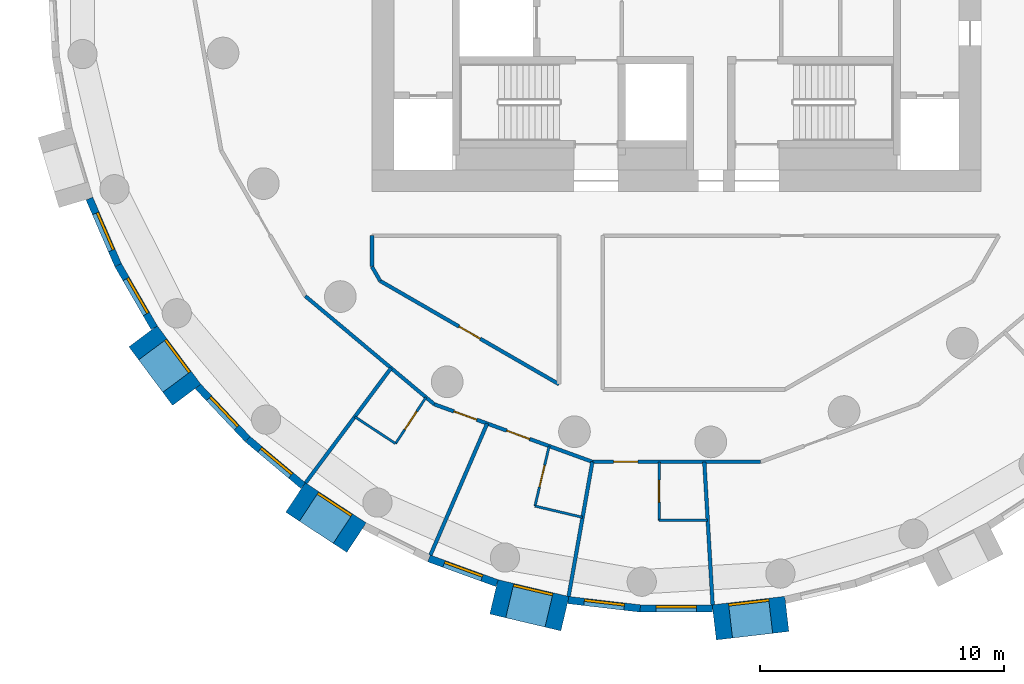
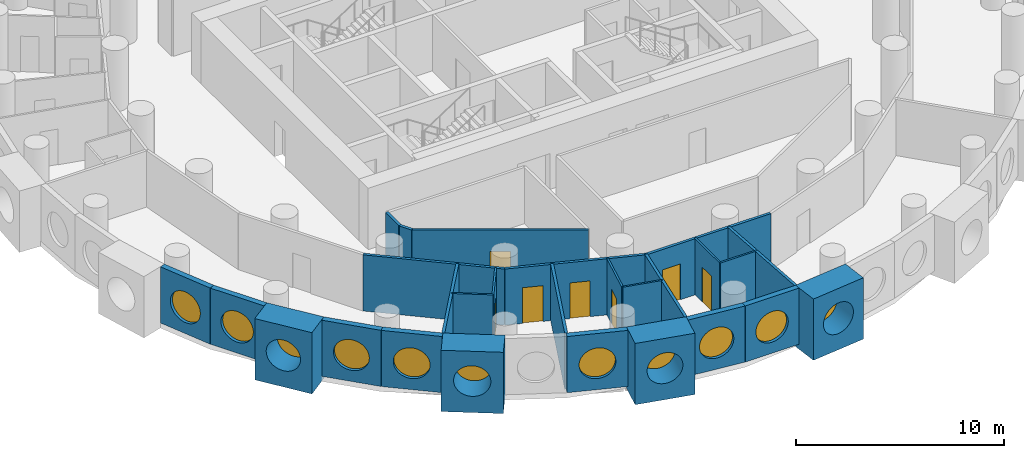
# One storey, part 2 of 9: 27 walls, 11 windows, 7 doors, 18 openings.
"""IFC4 building model written with IfcOpenShell, lengths in metres."""

from ifc_helpers import new_model, si_unit, direction, frame, frame_2d, origin, origin_2d, place, context, subcontext, project, spatial, rectangle, circle, extrude, material, layer, layer_set, type_object, element, fill, save


model = new_model("IFC4")

# Units and contexts
model_context = context("Model", 3, precision=1e-05, world=origin(), true_north=direction((0.0, 1.0)))
body_context = subcontext(model_context, "Body", "Model", "MODEL_VIEW")
ifc_project = project(units=[si_unit("LENGTHUNIT", "METRE"), si_unit("AREAUNIT", "SQUARE_METRE"), si_unit("VOLUMEUNIT", "CUBIC_METRE"), si_unit("PLANEANGLEUNIT", "RADIAN"), si_unit("MASSUNIT", "GRAM", prefix="KILO")], contexts=[model_context])

# Site, building, storey
site_placement = place(None, origin())
site = spatial("IfcSite", under=ifc_project, at=site_placement, CompositionType="ELEMENT")
building_placement = place(site_placement, origin())
building = spatial("IfcBuilding", under=site, at=building_placement, Name="Tracery Tower", CompositionType="ELEMENT")
storey_placement = place(building_placement, frame((0.0, 0.0, 187.199951171875)))
storey = spatial("IfcBuildingStorey", under=building, at=storey_placement, Name="L48", CompositionType="ELEMENT", Elevation=187.199951171875)

# Wall, opening, window
ifc_material_1 = material(Name="Precast concrete C50/60", Category="concrete")
ifc_layer_1 = layer(ifc_material_1, 1.449951171875)
ifc_layer_set_1 = layer_set([ifc_layer_1], Name="Deep-set bay unit 3000 x 3600, slab edge 300")
wall_type_1 = type_object("IfcWallType", Name="Deep-set bay unit 3000 x 3600, slab edge 300", PredefinedType="ELEMENTEDWALL", material=ifc_layer_set_1)
wall_1_placement = place(storey_placement, frame((-21.89453125, -14.429931640625, -0.300048828125), z_axis=(0.0, 0.0, 1.0), x_axis=(0.597183717734, -0.802104486506, 0.0)))
wall_1 = element("IfcWall", 1, at=wall_1_placement, inside=storey, type_object=wall_type_1, Name="Deep-set bay unit 33 at L48", PredefinedType="ELEMENTEDWALL", context=body_context, shape_type="SweptSolid", body=[
    extrude(rectangle(XDim=3.0, YDim=1.449951171875, at=frame_2d((1.5, 0.0))), origin(), (0.0, 0.0, 1.0), 3.60009765625),
])
opening_1_placement = place(wall_1_placement, frame((1.5, 0.0, 1.85009765625)))
opening_1 = element("IfcOpeningElement", 2, at=opening_1_placement, cuts=wall_1, Name="Opening WN1", PredefinedType="OPENING", context=body_context, shape_type="SweptSolid", body=[
    extrude(circle(Radius=0.9000244140625, at=origin_2d()), frame((0.0, 0.73486328125, 0.0), z_axis=(0.0, -1.0, 0.0), x_axis=(1.0, 0.0, 0.0)), (0.0, 0.0, 1.0), 1.469970703125),
])
ifc_material_2 = material(Name="Aluminium frame with tinted double glazing", Category="aluminium")
window_type = type_object("IfcWindowType", Name="Round window 1800", PartitioningType="SINGLE_PANEL", PredefinedType="WINDOW", material=ifc_material_2)
window_1_placement = place(opening_1_placement, origin())
window_1 = element("IfcWindow", 3, at=window_1_placement, inside=storey, type_object=window_type, Name="Round window 33 at L48", OverallHeight=1.800048828125, OverallWidth=1.800048828125, PartitioningType="SINGLE_PANEL", PredefinedType="WINDOW", context=body_context, shape_type="SweptSolid", body=[
    extrude(circle(Radius=0.9000244140625, at=origin_2d()), frame((0.0, 0.69482421875, 0.0), z_axis=(0.0, -1.0, 0.0), x_axis=(1.0, 0.0, 0.0)), (0.0, 0.0, 1.0), 0.10009765625),
])
fill(opening_1, window_1)

wall_2_placement = place(storey_placement, frame((-15.638916015625, -21.048095703125, -0.300048828125), z_axis=(0.0, 0.0, 1.0), x_axis=(0.835514416706, -0.549468524554, 0.0)))
wall_2 = element("IfcWall", 4, at=wall_2_placement, inside=storey, type_object=wall_type_1, Name="Deep-set bay unit 36 at L48", PredefinedType="ELEMENTEDWALL", context=body_context, shape_type="SweptSolid", body=[
    extrude(rectangle(XDim=3.0, YDim=1.449951171875, at=frame_2d((1.5, 0.0))), origin(), (0.0, 0.0, 1.0), 3.60009765625),
])
opening_2_placement = place(wall_2_placement, frame((1.5, 0.0, 1.85009765625)))
opening_2 = element("IfcOpeningElement", 5, at=opening_2_placement, cuts=wall_2, Name="Opening WN1", PredefinedType="OPENING", context=body_context, shape_type="SweptSolid", body=[
    extrude(circle(Radius=0.9000244140625, at=origin_2d()), frame((0.0, 0.73486328125, 0.0), z_axis=(0.0, -1.0, 0.0), x_axis=(1.0, 0.0, 0.0)), (0.0, 0.0, 1.0), 1.469970703125),
])
window_2_placement = place(opening_2_placement, origin())
window_2 = element("IfcWindow", 6, at=window_2_placement, inside=storey, type_object=window_type, Name="Round window 36 at L48", OverallHeight=1.800048828125, OverallWidth=1.800048828125, PartitioningType="SINGLE_PANEL", PredefinedType="WINDOW", context=body_context, shape_type="SweptSolid", body=[
    extrude(circle(Radius=0.9000244140625, at=origin_2d()), frame((0.0, 0.69482421875, 0.0), z_axis=(0.0, -1.0, 0.0), x_axis=(1.0, 0.0, 0.0)), (0.0, 0.0, 1.0), 0.10009765625),
])
fill(opening_2, window_2)

wall_3_placement = place(storey_placement, frame((-7.496826171875, -25.12744140625, -0.300048828125), z_axis=(0.0, 0.0, 1.0), x_axis=(0.973042333261, -0.23062657627, 0.0)))
wall_3 = element("IfcWall", 7, at=wall_3_placement, inside=storey, type_object=wall_type_1, Name="Deep-set bay unit 39 at L48", PredefinedType="ELEMENTEDWALL", context=body_context, shape_type="SweptSolid", body=[
    extrude(rectangle(XDim=3.0, YDim=1.449951171875, at=frame_2d((1.5, 0.0))), origin(), (0.0, 0.0, 1.0), 3.60009765625),
])
opening_3_placement = place(wall_3_placement, frame((1.5, 0.0, 1.85009765625)))
opening_3 = element("IfcOpeningElement", 8, at=opening_3_placement, cuts=wall_3, Name="Opening WN1", PredefinedType="OPENING", context=body_context, shape_type="SweptSolid", body=[
    extrude(circle(Radius=0.9000244140625, at=origin_2d()), frame((0.0, 0.73486328125, 0.0), z_axis=(0.0, -1.0, 0.0), x_axis=(1.0, 0.0, 0.0)), (0.0, 0.0, 1.0), 1.469970703125),
])
window_3_placement = place(opening_3_placement, origin())
window_3 = element("IfcWindow", 9, at=window_3_placement, inside=storey, type_object=window_type, Name="Round window 39 at L48", OverallHeight=1.800048828125, OverallWidth=1.800048828125, PartitioningType="SINGLE_PANEL", PredefinedType="WINDOW", context=body_context, shape_type="SweptSolid", body=[
    extrude(circle(Radius=0.9000244140625, at=origin_2d()), frame((0.0, 0.69482421875, 0.0), z_axis=(0.0, -1.0, 0.0), x_axis=(1.0, 0.0, 0.0)), (0.0, 0.0, 1.0), 0.10009765625),
])
fill(opening_3, window_3)

wall_4_placement = place(storey_placement, frame((1.54931640625, -26.17626953125, -0.300048828125), z_axis=(0.0, 0.0, 1.0), x_axis=(0.9932342274, 0.116128246006, 0.0)))
wall_4 = element("IfcWall", 10, at=wall_4_placement, inside=storey, type_object=wall_type_1, Name="Deep-set bay unit 42 at L48", PredefinedType="ELEMENTEDWALL", context=body_context, shape_type="SweptSolid", body=[
    extrude(rectangle(XDim=3.0, YDim=1.449951171875, at=frame_2d((1.5, 0.0))), origin(), (0.0, 0.0, 1.0), 3.60009765625),
])
opening_4_placement = place(wall_4_placement, frame((1.5, 0.0, 1.85009765625)))
opening_4 = element("IfcOpeningElement", 11, at=opening_4_placement, cuts=wall_4, Name="Opening WN1", PredefinedType="OPENING", context=body_context, shape_type="SweptSolid", body=[
    extrude(circle(Radius=0.9000244140625, at=origin_2d()), frame((0.0, 0.73486328125, 0.0), z_axis=(0.0, -1.0, 0.0), x_axis=(1.0, 0.0, 0.0)), (0.0, 0.0, 1.0), 1.469970703125),
])
window_4_placement = place(opening_4_placement, origin())
window_4 = element("IfcWindow", 12, at=window_4_placement, inside=storey, type_object=window_type, Name="Round window 42 at L48", OverallHeight=1.800048828125, OverallWidth=1.800048828125, PartitioningType="SINGLE_PANEL", PredefinedType="WINDOW", context=body_context, shape_type="SweptSolid", body=[
    extrude(circle(Radius=0.9000244140625, at=origin_2d()), frame((0.0, 0.69482421875, 0.0), z_axis=(0.0, -1.0, 0.0), x_axis=(1.0, 0.0, 0.0)), (0.0, 0.0, 1.0), 0.10009765625),
])
fill(opening_4, window_4)

ifc_material_3 = material(Name="Precast concrete C50/60", Category="concrete")
ifc_layer_2 = layer(ifc_material_3, 0.300048828125)
ifc_layer_set_2 = layer_set([ifc_layer_2], Name="Facade panel 3000 x 3300")
wall_type_2 = type_object("IfcWallType", Name="Facade panel 3000 x 3300", PredefinedType="SOLIDWALL", material=ifc_layer_set_2)
wall_5_placement = place(storey_placement, frame((-24.096923828125, -8.78076171875, 0.0), z_axis=(0.0, 0.0, 1.0), x_axis=(0.396078892785, -0.918216483565, 0.0)))
wall_5 = element("IfcWall", 13, at=wall_5_placement, inside=storey, type_object=wall_type_2, Name="Facade panel 31 at L48", PredefinedType="SOLIDWALL", context=body_context, shape_type="SweptSolid", body=[
    extrude(rectangle(XDim=2.972900390625, YDim=0.300048828125, at=frame_2d((1.486328125, 0.0))), origin(), (0.0, 0.0, 1.0), 3.300048828125),
])
opening_5_placement = place(wall_5_placement, frame((1.486328125, 0.0, 1.5498046875)))
opening_5 = element("IfcOpeningElement", 14, at=opening_5_placement, cuts=wall_5, Name="Opening WN1", PredefinedType="OPENING", context=body_context, shape_type="SweptSolid", body=[
    extrude(circle(Radius=0.9000244140625, at=origin_2d()), frame((0.0, 0.159912109375, 0.0), z_axis=(0.0, -1.0, 0.0), x_axis=(1.0, 0.0, 0.0)), (0.0, 0.0, 1.0), 0.320068359375),
])
window_5_placement = place(opening_5_placement, origin())
window_5 = element("IfcWindow", 15, at=window_5_placement, inside=storey, type_object=window_type, Name="Round window 31 at L48", OverallHeight=1.800048828125, OverallWidth=1.800048828125, PartitioningType="SINGLE_PANEL", PredefinedType="WINDOW", context=body_context, shape_type="SweptSolid", body=[
    extrude(circle(Radius=0.9000244140625, at=origin_2d()), frame((0.0, 0.1201171875, 0.0), z_axis=(0.0, -1.0, 0.0), x_axis=(1.0, 0.0, 0.0)), (0.0, 0.0, 1.0), 0.10009765625),
])
fill(opening_5, window_5)

wall_6_placement = place(storey_placement, frame((-22.91943359375, -11.510498046875, 0.0), z_axis=(0.0, 0.0, 1.0), x_axis=(0.500016263033, -0.866016014115, 0.0)))
wall_6 = element("IfcWall", 16, at=wall_6_placement, inside=storey, type_object=wall_type_2, Name="Facade panel 32 at L48", PredefinedType="SOLIDWALL", context=body_context, shape_type="SweptSolid", body=[
    extrude(rectangle(XDim=2.97314453125, YDim=0.300048828125, at=frame_2d((1.486572265625, 0.0))), origin(), (0.0, 0.0, 1.0), 3.300048828125),
])
opening_6_placement = place(wall_6_placement, frame((1.486328125, 0.0, 1.5498046875)))
opening_6 = element("IfcOpeningElement", 17, at=opening_6_placement, cuts=wall_6, Name="Opening WN1", PredefinedType="OPENING", context=body_context, shape_type="SweptSolid", body=[
    extrude(circle(Radius=0.9000244140625, at=origin_2d()), frame((0.0, 0.159912109375, 0.0), z_axis=(0.0, -1.0, 0.0), x_axis=(1.0, 0.0, 0.0)), (0.0, 0.0, 1.0), 0.320068359375),
])
window_6_placement = place(opening_6_placement, origin())
window_6 = element("IfcWindow", 18, at=window_6_placement, inside=storey, type_object=window_type, Name="Round window 32 at L48", OverallHeight=1.800048828125, OverallWidth=1.800048828125, PartitioningType="SINGLE_PANEL", PredefinedType="WINDOW", context=body_context, shape_type="SweptSolid", body=[
    extrude(circle(Radius=0.9000244140625, at=origin_2d()), frame((0.0, 0.1201171875, 0.0), z_axis=(0.0, -1.0, 0.0), x_axis=(1.0, 0.0, 0.0)), (0.0, 0.0, 1.0), 0.10009765625),
])
fill(opening_6, window_6)

wall_7_placement = place(storey_placement, frame((-19.640380859375, -16.492919921875, 0.0), z_axis=(0.0, 0.0, 1.0), x_axis=(0.686235184166, -0.727379730273, 0.0)))
wall_7 = element("IfcWall", 19, at=wall_7_placement, inside=storey, type_object=wall_type_2, Name="Facade panel 34 at L48", PredefinedType="SOLIDWALL", context=body_context, shape_type="SweptSolid", body=[
    extrude(rectangle(XDim=2.972900390625, YDim=0.300048828125, at=frame_2d((1.486328125, 0.0))), origin(), (0.0, 0.0, 1.0), 3.300048828125),
])
opening_7_placement = place(wall_7_placement, frame((1.486328125, 0.0, 1.5498046875)))
opening_7 = element("IfcOpeningElement", 20, at=opening_7_placement, cuts=wall_7, Name="Opening WN1", PredefinedType="OPENING", context=body_context, shape_type="SweptSolid", body=[
    extrude(circle(Radius=0.9000244140625, at=origin_2d()), frame((0.0, 0.159912109375, 0.0), z_axis=(0.0, -1.0, 0.0), x_axis=(1.0, 0.0, 0.0)), (0.0, 0.0, 1.0), 0.320068359375),
])
window_7_placement = place(opening_7_placement, origin())
window_7 = element("IfcWindow", 21, at=window_7_placement, inside=storey, type_object=window_type, Name="Round window 34 at L48", OverallHeight=1.800048828125, OverallWidth=1.800048828125, PartitioningType="SINGLE_PANEL", PredefinedType="WINDOW", context=body_context, shape_type="SweptSolid", body=[
    extrude(circle(Radius=0.9000244140625, at=origin_2d()), frame((0.0, 0.1201171875, 0.0), z_axis=(0.0, -1.0, 0.0), x_axis=(1.0, 0.0, 0.0)), (0.0, 0.0, 1.0), 0.10009765625),
])
fill(opening_7, window_7)

wall_8_placement = place(storey_placement, frame((-17.600341796875, -18.6552734375, 0.0), z_axis=(0.0, 0.0, 1.0), x_axis=(0.766049350637, -0.642781761089, 0.0)))
wall_8 = element("IfcWall", 22, at=wall_8_placement, inside=storey, type_object=wall_type_2, Name="Facade panel 35 at L48", PredefinedType="SOLIDWALL", context=body_context, shape_type="SweptSolid", body=[
    extrude(rectangle(XDim=2.972900390625, YDim=0.300048828125, at=frame_2d((1.486328125, 0.0))), origin(), (0.0, 0.0, 1.0), 3.300048828125),
])
opening_8_placement = place(wall_8_placement, frame((1.486328125, 0.0, 1.5498046875)))
opening_8 = element("IfcOpeningElement", 23, at=opening_8_placement, cuts=wall_8, Name="Opening WN1", PredefinedType="OPENING", context=body_context, shape_type="SweptSolid", body=[
    extrude(circle(Radius=0.9000244140625, at=origin_2d()), frame((0.0, 0.159912109375, 0.0), z_axis=(0.0, -1.0, 0.0), x_axis=(1.0, 0.0, 0.0)), (0.0, 0.0, 1.0), 0.320068359375),
])
window_8_placement = place(opening_8_placement, origin())
window_8 = element("IfcWindow", 24, at=window_8_placement, inside=storey, type_object=window_type, Name="Round window 35 at L48", OverallHeight=1.800048828125, OverallWidth=1.800048828125, PartitioningType="SINGLE_PANEL", PredefinedType="WINDOW", context=body_context, shape_type="SweptSolid", body=[
    extrude(circle(Radius=0.9000244140625, at=origin_2d()), frame((0.0, 0.1201171875, 0.0), z_axis=(0.0, -1.0, 0.0), x_axis=(1.0, 0.0, 0.0)), (0.0, 0.0, 1.0), 0.10009765625),
])
fill(opening_8, window_8)

wall_9_placement = place(storey_placement, frame((-10.158447265625, -23.5498046875, 0.0), z_axis=(0.0, 0.0, 1.0), x_axis=(0.939690282133, -0.342026568652, 0.0)))
wall_9 = element("IfcWall", 25, at=wall_9_placement, inside=storey, type_object=wall_type_2, Name="Facade panel 38 at L48", PredefinedType="SOLIDWALL", context=body_context, shape_type="SweptSolid", body=[
    extrude(rectangle(XDim=2.972900390625, YDim=0.300048828125, at=frame_2d((1.486328125, 0.0))), origin(), (0.0, 0.0, 1.0), 3.300048828125),
])
opening_9_placement = place(wall_9_placement, frame((1.486328125, 0.0, 1.5498046875)))
opening_9 = element("IfcOpeningElement", 26, at=opening_9_placement, cuts=wall_9, Name="Opening WN1", PredefinedType="OPENING", context=body_context, shape_type="SweptSolid", body=[
    extrude(circle(Radius=0.9000244140625, at=origin_2d()), frame((0.0, 0.159912109375, 0.0), z_axis=(0.0, -1.0, 0.0), x_axis=(1.0, 0.0, 0.0)), (0.0, 0.0, 1.0), 0.320068359375),
])
window_9_placement = place(opening_9_placement, origin())
window_9 = element("IfcWindow", 27, at=window_9_placement, inside=storey, type_object=window_type, Name="Round window 38 at L48", OverallHeight=1.800048828125, OverallWidth=1.800048828125, PartitioningType="SINGLE_PANEL", PredefinedType="WINDOW", context=body_context, shape_type="SweptSolid", body=[
    extrude(circle(Radius=0.9000244140625, at=origin_2d()), frame((0.0, 0.1201171875, 0.0), z_axis=(0.0, -1.0, 0.0), x_axis=(1.0, 0.0, 0.0)), (0.0, 0.0, 1.0), 0.10009765625),
])
fill(opening_9, window_9)

wall_10_placement = place(storey_placement, frame((-4.444091796875, -25.259033203125, 0.0), z_axis=(0.0, 0.0, 1.0), x_axis=(0.993245010522, -0.1160359818, 0.0)))
wall_10 = element("IfcWall", 28, at=wall_10_placement, inside=storey, type_object=wall_type_2, Name="Facade panel 40 at L48", PredefinedType="SOLIDWALL", context=body_context, shape_type="SweptSolid", body=[
    extrude(rectangle(XDim=2.972900390625, YDim=0.300048828125, at=frame_2d((1.486328125, 0.0))), origin(), (0.0, 0.0, 1.0), 3.300048828125),
])
opening_10_placement = place(wall_10_placement, frame((1.486328125, 0.0, 1.5498046875)))
opening_10 = element("IfcOpeningElement", 29, at=opening_10_placement, cuts=wall_10, Name="Opening WN1", PredefinedType="OPENING", context=body_context, shape_type="SweptSolid", body=[
    extrude(circle(Radius=0.9000244140625, at=origin_2d()), frame((0.0, 0.159912109375, 0.0), z_axis=(0.0, -1.0, 0.0), x_axis=(1.0, 0.0, 0.0)), (0.0, 0.0, 1.0), 0.320068359375),
])
window_10_placement = place(opening_10_placement, origin())
window_10 = element("IfcWindow", 30, at=window_10_placement, inside=storey, type_object=window_type, Name="Round window 40 at L48", OverallHeight=1.800048828125, OverallWidth=1.800048828125, PartitioningType="SINGLE_PANEL", PredefinedType="WINDOW", context=body_context, shape_type="SweptSolid", body=[
    extrude(circle(Radius=0.9000244140625, at=origin_2d()), frame((0.0, 0.1201171875, 0.0), z_axis=(0.0, -1.0, 0.0), x_axis=(1.0, 0.0, 0.0)), (0.0, 0.0, 1.0), 0.10009765625),
])
fill(opening_10, window_10)

wall_11_placement = place(storey_placement, frame((-1.4912109375, -25.60400390625, 0.0), z_axis=(0.0, 0.0, 1.0), x_axis=(1.0, 0.0, 0.0)))
wall_11 = element("IfcWall", 31, at=wall_11_placement, inside=storey, type_object=wall_type_2, Name="Facade panel 41 at L48", PredefinedType="SOLIDWALL", context=body_context, shape_type="SweptSolid", body=[
    extrude(rectangle(XDim=2.972900390625, YDim=0.300048828125, at=frame_2d((1.486328125, 0.0))), origin(), (0.0, 0.0, 1.0), 3.300048828125),
])
opening_11_placement = place(wall_11_placement, frame((1.486328125, 0.0, 1.5498046875)))
opening_11 = element("IfcOpeningElement", 32, at=opening_11_placement, cuts=wall_11, Name="Opening WN1", PredefinedType="OPENING", context=body_context, shape_type="SweptSolid", body=[
    extrude(circle(Radius=0.9000244140625, at=origin_2d()), frame((0.0, 0.159912109375, 0.0), z_axis=(0.0, -1.0, 0.0), x_axis=(1.0, 0.0, 0.0)), (0.0, 0.0, 1.0), 0.320068359375),
])
window_11_placement = place(opening_11_placement, origin())
window_11 = element("IfcWindow", 33, at=window_11_placement, inside=storey, type_object=window_type, Name="Round window 41 at L48", OverallHeight=1.800048828125, OverallWidth=1.800048828125, PartitioningType="SINGLE_PANEL", PredefinedType="WINDOW", context=body_context, shape_type="SweptSolid", body=[
    extrude(circle(Radius=0.9000244140625, at=origin_2d()), frame((0.0, 0.1201171875, 0.0), z_axis=(0.0, -1.0, 0.0), x_axis=(1.0, 0.0, 0.0)), (0.0, 0.0, 1.0), 0.10009765625),
])
fill(opening_11, window_11)

# Wall
ifc_material_4 = material(Name="Plasterboard on steel studs", Category="steel")
ifc_layer_3 = layer(ifc_material_4, 0.10009765625)
ifc_layer_set_3 = layer_set([ifc_layer_3], Name="Partition 100 wet wall")
wall_type_3 = type_object("IfcWallType", Name="Partition 100 wet wall", PredefinedType="PARTITIONING", material=ifc_layer_set_3)
wall_12_placement = place(storey_placement, frame((-13.2041015625, -17.736083984375, 0.0), z_axis=(0.0, 0.0, 1.0), x_axis=(0.835392041163, -0.549654562032, 0.0)))
element("IfcWall", 34, at=wall_12_placement, inside=storey, type_object=wall_type_3, Name="Wet wall RB6-058", PredefinedType="PARTITIONING", context=body_context, shape_type="SweptSolid", body=[
    extrude(rectangle(XDim=2.002685546875, YDim=0.10009765625, at=frame_2d((1.00146484375, 0.0))), origin(), (0.0, 0.0, 1.0), 3.300048828125),
])

# Wall, opening, door
wall_13_placement = place(storey_placement, frame((-11.531005859375, -18.8369140625, 0.0), z_axis=(0.0, 0.0, 1.0), x_axis=(0.549730960803, 0.83534176882, 0.0)))
wall_13 = element("IfcWall", 35, at=wall_13_placement, inside=storey, type_object=wall_type_3, Name="Wet wall RB6-059", PredefinedType="PARTITIONING", context=body_context, shape_type="SweptSolid", body=[
    extrude(rectangle(XDim=2.27197265625, YDim=0.10009765625, at=frame_2d((1.135986328125, 0.0))), origin(), (0.0, 0.0, 1.0), 3.300048828125),
])
opening_12_placement = place(wall_13_placement, frame((0.68603515625, 0.0, 0.0)))
opening_12 = element("IfcOpeningElement", 36, at=opening_12_placement, cuts=wall_13, Name="Opening RB6-18", PredefinedType="OPENING", context=body_context, shape_type="SweptSolid", body=[
    extrude(rectangle(XDim=0.89990234375, YDim=2.0400390625, at=frame_2d((0.449951171875, 1.02001953125))), frame((0.0, 0.050048828125, 0.0), z_axis=(0.0, -1.0, 0.0), x_axis=(1.0, 0.0, 0.0)), (0.0, 0.0, 1.0), 0.10009765625),
])
ifc_material_5 = material(Name="Timber door leaf", Category="wood")
door_type_1 = type_object("IfcDoorType", Name="Door en-suite 900", OperationType="NOTDEFINED", PredefinedType="DOOR", material=ifc_material_5)
door_1_placement = place(opening_12_placement, origin())
door_1 = element("IfcDoor", 37, at=door_1_placement, inside=storey, type_object=door_type_1, Name="En-suite door RB6-18", OperationType="SINGLE_SWING_LEFT", OverallHeight=2.0400390625, OverallWidth=0.89990234375, PredefinedType="DOOR", context=body_context, shape_type="SweptSolid", body=[
    extrude(rectangle(XDim=0.89990234375, YDim=2.0400390625, at=frame_2d((0.449951171875, 1.02001953125))), frame((0.0, 0.02490234375, 0.0), z_axis=(0.0, -1.0, 0.0), x_axis=(1.0, 0.0, 0.0)), (0.0, 0.0, 1.0), 0.050048828125),
])
fill(opening_12, door_1)

wall_14_placement = place(storey_placement, frame((-5.80908203125, -21.40087890625, 0.0), z_axis=(0.0, 0.0, 1.0), x_axis=(0.230524114202, 0.97306661271, 0.0)))
wall_14 = element("IfcWall", 38, at=wall_14_placement, inside=storey, type_object=wall_type_3, Name="Wet wall RB6-061", PredefinedType="PARTITIONING", context=body_context, shape_type="SweptSolid", body=[
    extrude(rectangle(XDim=2.529052734375, YDim=0.10009765625, at=frame_2d((1.2646484375, 0.0))), origin(), (0.0, 0.0, 1.0), 3.300048828125),
])
opening_13_placement = place(wall_14_placement, frame((0.814208984375, 0.0, 0.0)))
opening_13 = element("IfcOpeningElement", 39, at=opening_13_placement, cuts=wall_14, Name="Opening RB6-20", PredefinedType="OPENING", context=body_context, shape_type="SweptSolid", body=[
    extrude(rectangle(XDim=0.89990234375, YDim=2.0400390625, at=frame_2d((0.449951171875, 1.02001953125))), frame((0.0, 0.050048828125, 0.0), z_axis=(0.0, -1.0, 0.0), x_axis=(1.0, 0.0, 0.0)), (0.0, 0.0, 1.0), 0.10009765625),
])
door_2_placement = place(opening_13_placement, origin())
door_2 = element("IfcDoor", 40, at=door_2_placement, inside=storey, type_object=door_type_1, Name="En-suite door RB6-20", OperationType="SINGLE_SWING_RIGHT", OverallHeight=2.0400390625, OverallWidth=0.89990234375, PredefinedType="DOOR", context=body_context, shape_type="SweptSolid", body=[
    extrude(rectangle(XDim=0.89990234375, YDim=2.0400390625, at=frame_2d((0.449951171875, 1.02001953125))), frame((0.0, 0.02490234375, 0.0), z_axis=(0.0, -1.0, 0.0), x_axis=(1.0, 0.0, 0.0)), (0.0, 0.0, 1.0), 0.050048828125),
])
fill(opening_13, door_2)

# Wall
wall_15_placement = place(storey_placement, frame((-5.80908203125, -21.40087890625, 0.0), z_axis=(0.0, 0.0, 1.0), x_axis=(0.973044402656, -0.230617845057, 0.0)))
element("IfcWall", 41, at=wall_15_placement, inside=storey, type_object=wall_type_3, Name="Wet wall RB6-062", PredefinedType="PARTITIONING", context=body_context, shape_type="SweptSolid", body=[
    extrude(rectangle(XDim=2.00830078125, YDim=0.10009765625, at=frame_2d((1.004150390625, 0.0))), origin(), (0.0, 0.0, 1.0), 3.300048828125),
])

# Wall, opening, door
wall_16_placement = place(storey_placement, frame((-0.717041015625, -21.986083984375, 0.0), z_axis=(0.0, 0.0, 1.0), x_axis=(0.0, 1.0, 0.0)))
wall_16 = element("IfcWall", 42, at=wall_16_placement, inside=storey, type_object=wall_type_3, Name="Wet wall RB6-064", PredefinedType="PARTITIONING", context=body_context, shape_type="SweptSolid", body=[
    extrude(rectangle(XDim=2.400146484375, YDim=0.10009765625, at=frame_2d((1.2001953125, 0.0))), origin(), (0.0, 0.0, 1.0), 3.300048828125),
])
opening_14_placement = place(wall_16_placement, frame((0.75, 0.0, 0.0)))
opening_14 = element("IfcOpeningElement", 43, at=opening_14_placement, cuts=wall_16, Name="Opening RB6-22", PredefinedType="OPENING", context=body_context, shape_type="SweptSolid", body=[
    extrude(rectangle(XDim=0.89990234375, YDim=2.0400390625, at=frame_2d((0.449951171875, 1.02001953125))), frame((0.0, 0.050048828125, 0.0), z_axis=(0.0, -1.0, 0.0), x_axis=(1.0, 0.0, 0.0)), (0.0, 0.0, 1.0), 0.10009765625),
])
door_3_placement = place(opening_14_placement, origin())
door_3 = element("IfcDoor", 44, at=door_3_placement, inside=storey, type_object=door_type_1, Name="En-suite door RB6-22", OperationType="SINGLE_SWING_LEFT", OverallHeight=2.0400390625, OverallWidth=0.89990234375, PredefinedType="DOOR", context=body_context, shape_type="SweptSolid", body=[
    extrude(rectangle(XDim=0.89990234375, YDim=2.0400390625, at=frame_2d((0.449951171875, 1.02001953125))), frame((0.0, 0.02490234375, 0.0), z_axis=(0.0, -1.0, 0.0), x_axis=(1.0, 0.0, 0.0)), (0.0, 0.0, 1.0), 0.050048828125),
])
fill(opening_14, door_3)

# Walls
wall_17_placement = place(storey_placement, frame((-0.717041015625, -21.986083984375, 0.0), z_axis=(0.0, 0.0, 1.0), x_axis=(1.0, 0.0, 0.0)))
element("IfcWall", 45, at=wall_17_placement, inside=storey, type_object=wall_type_3, Name="Wet wall RB6-065", PredefinedType="PARTITIONING", context=body_context, shape_type="SweptSolid", body=[
    extrude(rectangle(XDim=1.998046875, YDim=0.10009765625, at=frame_2d((0.9990234375, 0.0))), origin(), (0.0, 0.0, 1.0), 3.300048828125),
])
ifc_material_6 = material(Name="Plasterboard on steel studs", Category="steel")
ifc_layer_4 = layer(ifc_material_6, 0.14990234375)
ifc_layer_set_4 = layer_set([ifc_layer_4], Name="Partition 150 acoustic unit wall")
wall_type_4 = type_object("IfcWallType", Name="Partition 150 acoustic unit wall", PredefinedType="PARTITIONING", material=ifc_layer_set_4)
wall_18_placement = place(storey_placement, frame((-15.22607421875, -20.451904296875, 0.0), z_axis=(0.0, 0.0, 1.0), x_axis=(0.597131981171, 0.802143002876, 0.0)))
element("IfcWall", 46, at=wall_18_placement, inside=storey, type_object=wall_type_4, Name="Unit wall RB6-057", PredefinedType="PARTITIONING", context=body_context, shape_type="SweptSolid", body=[
    extrude(rectangle(XDim=5.878173828125, YDim=0.14990234375, at=frame_2d((2.93896484375, 0.0))), origin(), (0.0, 0.0, 1.0), 3.300048828125),
])
wall_19_placement = place(storey_placement, frame((-10.09912109375, -23.412109375, 0.0), z_axis=(0.0, 0.0, 1.0), x_axis=(0.39601833725, 0.918242602236, 0.0)))
element("IfcWall", 47, at=wall_19_placement, inside=storey, type_object=wall_type_4, Name="Unit wall RB6-060", PredefinedType="PARTITIONING", context=body_context, shape_type="SweptSolid", body=[
    extrude(rectangle(XDim=5.87890625, YDim=0.14990234375, at=frame_2d((2.939453125, 0.0))), origin(), (0.0, 0.0, 1.0), 3.300048828125),
])
wall_20_placement = place(storey_placement, frame((-4.427978515625, -25.110107421875, 0.0), z_axis=(0.0, 0.0, 1.0), x_axis=(0.17382754149, 0.984776109489, 0.0)))
element("IfcWall", 48, at=wall_20_placement, inside=storey, type_object=wall_type_4, Name="Unit wall RB6-063", PredefinedType="PARTITIONING", context=body_context, shape_type="SweptSolid", body=[
    extrude(rectangle(XDim=5.609619140625, YDim=0.14990234375, at=frame_2d((2.8046875, 0.0))), origin(), (0.0, 0.0, 1.0), 3.300048828125),
])
wall_21_placement = place(storey_placement, frame((1.14111328125, -19.5859375, 0.0), z_axis=(0.0, 0.0, 1.0), x_axis=(0.058147412668, -0.998308007781, 0.0)))
element("IfcWall", 49, at=wall_21_placement, inside=storey, type_object=wall_type_4, Name="Unit wall RB6-066", PredefinedType="PARTITIONING", context=body_context, shape_type="SweptSolid", body=[
    extrude(rectangle(XDim=5.878173828125, YDim=0.14990234375, at=frame_2d((2.93896484375, 0.0))), origin(), (0.0, 0.0, 1.0), 3.300048828125),
])
ifc_material_7 = material(Name="Plasterboard on steel studs", Category="steel")
ifc_layer_5 = layer(ifc_material_7, 0.14990234375)
ifc_layer_set_5 = layer_set([ifc_layer_5], Name="Partition 150 corridor wall")
wall_type_5 = type_object("IfcWallType", Name="Partition 150 corridor wall", PredefinedType="PARTITIONING", material=ifc_layer_set_5)
wall_22_placement = place(storey_placement, frame((-12.5, -11.576904296875, 0.0), z_axis=(0.0, 0.0, 1.0), x_axis=(0.0, 1.0, 0.0)))
element("IfcWall", 50, at=wall_22_placement, inside=storey, type_object=wall_type_5, Name="Corridor wall RB6-024", PredefinedType="PARTITIONING", context=body_context, shape_type="SweptSolid", body=[
    extrude(rectangle(XDim=1.27685546875, YDim=0.14990234375, at=frame_2d((0.638427734375, 0.0))), origin(), (0.0, 0.0, 1.0), 3.300048828125),
])
wall_23_placement = place(storey_placement, frame((-12.5, -11.576904296875, 0.0), z_axis=(0.0, 0.0, 1.0), x_axis=(0.500024767483, -0.866011103799, 0.0)))
element("IfcWall", 51, at=wall_23_placement, inside=storey, type_object=wall_type_5, Name="Corridor wall RB6-025", PredefinedType="PARTITIONING", context=body_context, shape_type="SweptSolid", body=[
    extrude(rectangle(XDim=0.67578125, YDim=0.14990234375, at=frame_2d((0.337890625, 0.0))), origin(), (0.0, 0.0, 1.0), 3.300048828125),
])
wall_24_placement = place(storey_placement, frame((-15.235107421875, -12.783935546875, 0.0), z_axis=(0.0, 0.0, 1.0), x_axis=(0.766192104565, -0.642611592567, 0.0)))
element("IfcWall", 52, at=wall_24_placement, inside=storey, type_object=wall_type_5, Name="Corridor wall RB6-028", PredefinedType="PARTITIONING", context=body_context, shape_type="SweptSolid", body=[
    extrude(rectangle(XDim=6.906494140625, YDim=0.14990234375, at=frame_2d((3.453125, 0.0))), origin(), (0.0, 0.0, 1.0), 3.300048828125),
])

# Wall, opening, door
wall_25_placement = place(storey_placement, frame((-12.162109375, -12.162109375, 0.0), z_axis=(0.0, 0.0, 1.0), x_axis=(0.866004766557, -0.500035743023, 0.0)))
wall_25 = element("IfcWall", 53, at=wall_25_placement, inside=storey, type_object=wall_type_5, Name="Corridor wall RB6-031", PredefinedType="PARTITIONING", context=body_context, shape_type="SweptSolid", body=[
    extrude(rectangle(XDim=8.47705078125, YDim=0.14990234375, at=frame_2d((4.238525390625, 0.0))), origin(), (0.0, 0.0, 1.0), 3.300048828125),
])
opening_15_placement = place(wall_25_placement, frame((3.738037109375, 0.0, 0.0)))
opening_15 = element("IfcOpeningElement", 54, at=opening_15_placement, cuts=wall_25, Name="Opening RB6-03", PredefinedType="OPENING", context=body_context, shape_type="SweptSolid", body=[
    extrude(rectangle(XDim=1.0, YDim=2.0400390625, at=frame_2d((0.5, 1.02001953125))), frame((0.0, 0.074951171875, 0.0), z_axis=(0.0, -1.0, 0.0), x_axis=(1.0, 0.0, 0.0)), (0.0, 0.0, 1.0), 0.14990234375),
])
ifc_material_8 = material(Name="Timber door leaf", Category="wood")
door_type_2 = type_object("IfcDoorType", Name="Door communal room 1000", OperationType="NOTDEFINED", PredefinedType="DOOR", material=ifc_material_8)
door_4_placement = place(opening_15_placement, origin())
door_4 = element("IfcDoor", 55, at=door_4_placement, inside=storey, type_object=door_type_2, Name="Communal room door RB6-03", OperationType="SINGLE_SWING_LEFT", OverallHeight=2.0400390625, OverallWidth=1.0, PredefinedType="DOOR", context=body_context, shape_type="SweptSolid", body=[
    extrude(rectangle(XDim=1.0, YDim=2.0400390625, at=frame_2d((0.5, 1.02001953125))), frame((0.0, 0.02490234375, 0.0), z_axis=(0.0, -1.0, 0.0), x_axis=(1.0, 0.0, 0.0)), (0.0, 0.0, 1.0), 0.050048828125),
])
fill(opening_15, door_4)

# Wall, openings, doors
wall_26_placement = place(storey_placement, frame((-9.944091796875, -17.222900390625, 0.0), z_axis=(0.0, 0.0, 1.0), x_axis=(0.939737689664, -0.341896292208, 0.0)))
wall_26 = element("IfcWall", 56, at=wall_26_placement, inside=storey, type_object=wall_type_5, Name="Corridor wall RB6-036", PredefinedType="PARTITIONING", context=body_context, shape_type="SweptSolid", body=[
    extrude(rectangle(XDim=6.907958984375, YDim=0.14990234375, at=frame_2d((3.4541015625, 0.0))), origin(), (0.0, 0.0, 1.0), 3.300048828125),
])
opening_16_placement = place(wall_26_placement, frame((0.858642578125, 0.0, 0.0)))
opening_16 = element("IfcOpeningElement", 57, at=opening_16_placement, cuts=wall_26, Name="Opening RB6-19", PredefinedType="OPENING", context=body_context, shape_type="SweptSolid", body=[
    extrude(rectangle(XDim=1.0, YDim=2.10009765625, at=frame_2d((0.5, 1.050048828125))), frame((0.0, 0.074951171875, 0.0), z_axis=(0.0, -1.0, 0.0), x_axis=(1.0, 0.0, 0.0)), (0.0, 0.0, 1.0), 0.14990234375),
])
opening_17_placement = place(wall_26_placement, frame((3.167236328125, 0.0, 0.0)))
opening_17 = element("IfcOpeningElement", 58, at=opening_17_placement, cuts=wall_26, Name="Opening RB6-21", PredefinedType="OPENING", context=body_context, shape_type="SweptSolid", body=[
    extrude(rectangle(XDim=1.0, YDim=2.10009765625, at=frame_2d((0.5, 1.050048828125))), frame((0.0, 0.074951171875, 0.0), z_axis=(0.0, -1.0, 0.0), x_axis=(1.0, 0.0, 0.0)), (0.0, 0.0, 1.0), 0.14990234375),
])
ifc_material_9 = material(Name="Timber door leaf", Category="wood")
door_type_3 = type_object("IfcDoorType", Name="Door unit entrance 1000", OperationType="NOTDEFINED", PredefinedType="DOOR", material=ifc_material_9)
door_5_placement = place(opening_16_placement, origin())
door_5 = element("IfcDoor", 59, at=door_5_placement, inside=storey, type_object=door_type_3, Name="Unit entrance door RB6-19", OperationType="SINGLE_SWING_LEFT", OverallHeight=2.10009765625, OverallWidth=1.0, PredefinedType="DOOR", context=body_context, shape_type="SweptSolid", body=[
    extrude(rectangle(XDim=1.0, YDim=2.10009765625, at=frame_2d((0.5, 1.050048828125))), frame((0.0, 0.02490234375, 0.0), z_axis=(0.0, -1.0, 0.0), x_axis=(1.0, 0.0, 0.0)), (0.0, 0.0, 1.0), 0.050048828125),
])
fill(opening_16, door_5)
door_6_placement = place(opening_17_placement, origin())
door_6 = element("IfcDoor", 60, at=door_6_placement, inside=storey, type_object=door_type_3, Name="Unit entrance door RB6-21", OperationType="SINGLE_SWING_LEFT", OverallHeight=2.10009765625, OverallWidth=1.0, PredefinedType="DOOR", context=body_context, shape_type="SweptSolid", body=[
    extrude(rectangle(XDim=1.0, YDim=2.10009765625, at=frame_2d((0.5, 1.050048828125))), frame((0.0, 0.02490234375, 0.0), z_axis=(0.0, -1.0, 0.0), x_axis=(1.0, 0.0, 0.0)), (0.0, 0.0, 1.0), 0.050048828125),
])
fill(opening_17, door_6)

# Wall, opening, door
wall_27_placement = place(storey_placement, frame((-3.452880859375, -19.5859375, 0.0), z_axis=(0.0, 0.0, 1.0), x_axis=(1.0, 0.0, 0.0)))
wall_27 = element("IfcWall", 61, at=wall_27_placement, inside=storey, type_object=wall_type_5, Name="Corridor wall RB6-037", PredefinedType="PARTITIONING", context=body_context, shape_type="SweptSolid", body=[
    extrude(rectangle(XDim=6.90576171875, YDim=0.14990234375, at=frame_2d((3.452880859375, 0.0))), origin(), (0.0, 0.0, 1.0), 3.300048828125),
])
opening_18_placement = place(wall_27_placement, frame((0.8701171875, 0.0, 0.0)))
opening_18 = element("IfcOpeningElement", 62, at=opening_18_placement, cuts=wall_27, Name="Opening RB6-23", PredefinedType="OPENING", context=body_context, shape_type="SweptSolid", body=[
    extrude(rectangle(XDim=1.0, YDim=2.10009765625, at=frame_2d((0.5, 1.050048828125))), frame((0.0, 0.074951171875, 0.0), z_axis=(0.0, -1.0, 0.0), x_axis=(1.0, 0.0, 0.0)), (0.0, 0.0, 1.0), 0.14990234375),
])
door_7_placement = place(opening_18_placement, origin())
door_7 = element("IfcDoor", 63, at=door_7_placement, inside=storey, type_object=door_type_3, Name="Unit entrance door RB6-23", OperationType="SINGLE_SWING_RIGHT", OverallHeight=2.10009765625, OverallWidth=1.0, PredefinedType="DOOR", context=body_context, shape_type="SweptSolid", body=[
    extrude(rectangle(XDim=1.0, YDim=2.10009765625, at=frame_2d((0.5, 1.050048828125))), frame((0.0, 0.02490234375, 0.0), z_axis=(0.0, -1.0, 0.0), x_axis=(1.0, 0.0, 0.0)), (0.0, 0.0, 1.0), 0.050048828125),
])
fill(opening_18, door_7)

save(model, "model.ifc")
